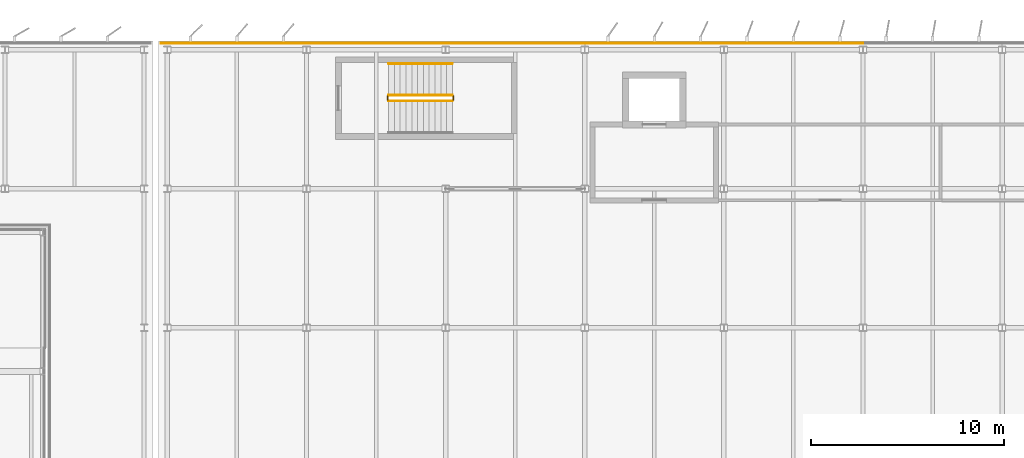
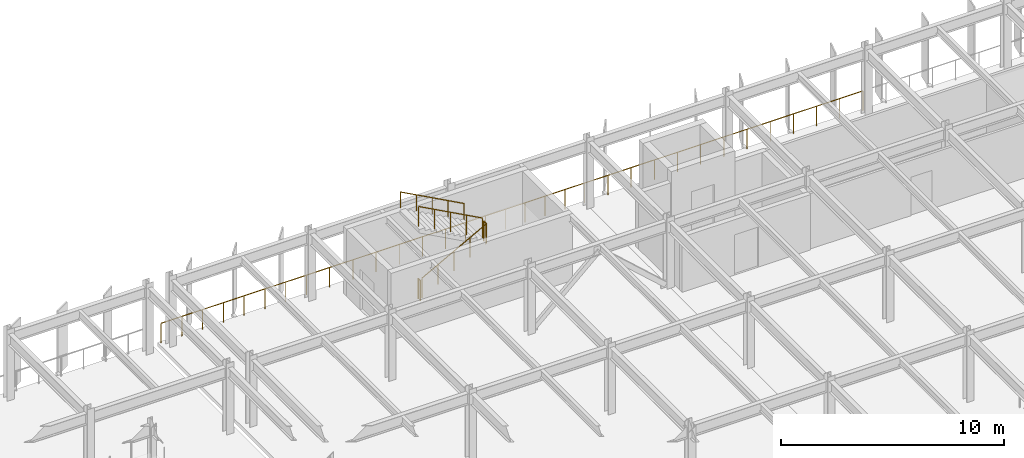
# One storey, part 45 of 52: 10 railings.
"""IFC4 building model written with IfcOpenShell, lengths in metres."""

from ifc_helpers import new_model, si_unit, direction, frame, origin, origin_2d, place, context, subcontext, project, spatial, circle, extrude, material, layer, layer_set, type_object, element, save


model = new_model("IFC4")

# Units and contexts
model_context = context("Model", 3, precision=1e-05, world=origin(), true_north=direction((0.0, 1.0)))
body_context = subcontext(model_context, "Body", "Model", "MODEL_VIEW")
ifc_project = project(units=[si_unit("LENGTHUNIT", "METRE"), si_unit("AREAUNIT", "SQUARE_METRE"), si_unit("VOLUMEUNIT", "CUBIC_METRE"), si_unit("PLANEANGLEUNIT", "RADIAN"), si_unit("MASSUNIT", "GRAM", prefix="KILO")], contexts=[model_context])

# Site, building, storey
site_placement = place(None, origin())
site = spatial("IfcSite", under=ifc_project, at=site_placement, CompositionType="ELEMENT")
building_placement = place(site_placement, origin())
building = spatial("IfcBuilding", under=site, at=building_placement, Name="Vaelcorin Mobility Hub", CompositionType="ELEMENT")
storey_placement = place(building_placement, frame((0.0, 0.0, 13.199951171875)))
storey = spatial("IfcBuildingStorey", under=building, at=storey_placement, Name="L03", CompositionType="ELEMENT", Elevation=13.199951171875)

# Railings
ifc_material_1 = material(Name="Galvanised structural steel ASTM A36", Category="steel")
ifc_layer_1 = layer(ifc_material_1, 0.070068359375)
ifc_layer_set_1 = layer_set([ifc_layer_1], Name="Galvanised structural steel ASTM A36")
railing_type_1 = type_object("IfcRailingType", Name="RL-GUARD-1100", PredefinedType="BALUSTRADE", material=ifc_layer_set_1)
railing_1_placement = place(storey_placement, frame((35.669921875, 120.330078125, 0.0)))
element("IfcRailing", 1, at=railing_1_placement, inside=storey, type_object=railing_type_1, Name="L03 Perimeter Guard GR-V4-L03-N-01-01", PredefinedType="BALUSTRADE", context=body_context, shape_type="SweptSolid", body=[
    extrude(circle(Radius=0.02392578125, at=origin_2d()), frame((0.0, 0.0, 1.076171875), z_axis=(1.0, 0.0, 0.0), x_axis=(0.0, 1.0, 0.0)), (0.0, 0.0, 1.0), 7.530029296875),
    extrude(circle(Radius=0.02099609375, at=origin_2d()), origin(), (0.0, 0.0, 1.0), 1.052001953125),
    extrude(circle(Radius=0.02099609375, at=origin_2d()), frame((1.07568359375, 0.0, 0.0)), (0.0, 0.0, 1.0), 1.052001953125),
    extrude(circle(Radius=0.02099609375, at=origin_2d()), frame((2.1513671875, 0.0, 0.0)), (0.0, 0.0, 1.0), 1.052001953125),
    extrude(circle(Radius=0.02099609375, at=origin_2d()), frame((3.22705078125, 0.0, 0.0)), (0.0, 0.0, 1.0), 1.052001953125),
    extrude(circle(Radius=0.02099609375, at=origin_2d()), frame((4.302978515625, 0.0, 0.0)), (0.0, 0.0, 1.0), 1.052001953125),
    extrude(circle(Radius=0.02099609375, at=origin_2d()), frame((5.378662109375, 0.0, 0.0)), (0.0, 0.0, 1.0), 1.052001953125),
    extrude(circle(Radius=0.02099609375, at=origin_2d()), frame((6.454345703125, 0.0, 0.0)), (0.0, 0.0, 1.0), 1.052001953125),
    extrude(circle(Radius=0.02099609375, at=origin_2d()), frame((7.530029296875, 0.0, 0.0)), (0.0, 0.0, 1.0), 1.052001953125),
])
railing_2_placement = place(storey_placement, frame((43.199951171875, 120.330078125, 0.0)))
element("IfcRailing", 2, at=railing_2_placement, inside=storey, type_object=railing_type_1, Name="L03 Perimeter Guard GR-V4-L03-N-02-01", PredefinedType="BALUSTRADE", context=body_context, shape_type="SweptSolid", body=[
    extrude(circle(Radius=0.02392578125, at=origin_2d()), frame((0.0, 0.0, 1.076171875), z_axis=(1.0, 0.0, 0.0), x_axis=(0.0, 1.0, 0.0)), (0.0, 0.0, 1.0), 7.199951171875),
    extrude(circle(Radius=0.02099609375, at=origin_2d()), origin(), (0.0, 0.0, 1.0), 1.052001953125),
    extrude(circle(Radius=0.02099609375, at=origin_2d()), frame((1.199951171875, 0.0, 0.0)), (0.0, 0.0, 1.0), 1.052001953125),
    extrude(circle(Radius=0.02099609375, at=origin_2d()), frame((2.39990234375, 0.0, 0.0)), (0.0, 0.0, 1.0), 1.052001953125),
    extrude(circle(Radius=0.02099609375, at=origin_2d()), frame((3.60009765625, 0.0, 0.0)), (0.0, 0.0, 1.0), 1.052001953125),
    extrude(circle(Radius=0.02099609375, at=origin_2d()), frame((4.800048828125, 0.0, 0.0)), (0.0, 0.0, 1.0), 1.052001953125),
    extrude(circle(Radius=0.02099609375, at=origin_2d()), frame((6.0, 0.0, 0.0)), (0.0, 0.0, 1.0), 1.052001953125),
    extrude(circle(Radius=0.02099609375, at=origin_2d()), frame((7.199951171875, 0.0, 0.0)), (0.0, 0.0, 1.0), 1.052001953125),
])
railing_3_placement = place(storey_placement, frame((50.39990234375, 120.330078125, 0.0)))
element("IfcRailing", 3, at=railing_3_placement, inside=storey, type_object=railing_type_1, Name="L03 Perimeter Guard GR-V4-L03-N-03-01", PredefinedType="BALUSTRADE", context=body_context, shape_type="SweptSolid", body=[
    extrude(circle(Radius=0.02392578125, at=origin_2d()), frame((0.0, 0.0, 1.076171875), z_axis=(1.0, 0.0, 0.0), x_axis=(0.0, 1.0, 0.0)), (0.0, 0.0, 1.0), 7.2001953125),
    extrude(circle(Radius=0.02099609375, at=origin_2d()), origin(), (0.0, 0.0, 1.0), 1.052001953125),
    extrude(circle(Radius=0.02099609375, at=origin_2d()), frame((1.028564453125, 0.0, 0.0)), (0.0, 0.0, 1.0), 1.052001953125),
    extrude(circle(Radius=0.02099609375, at=origin_2d()), frame((2.05712890625, 0.0, 0.0)), (0.0, 0.0, 1.0), 1.052001953125),
    extrude(circle(Radius=0.02099609375, at=origin_2d()), frame((3.085693359375, 0.0, 0.0)), (0.0, 0.0, 1.0), 1.052001953125),
    extrude(circle(Radius=0.02099609375, at=origin_2d()), frame((4.114501953125, 0.0, 0.0)), (0.0, 0.0, 1.0), 1.052001953125),
    extrude(circle(Radius=0.02099609375, at=origin_2d()), frame((5.14306640625, 0.0, 0.0)), (0.0, 0.0, 1.0), 1.052001953125),
    extrude(circle(Radius=0.02099609375, at=origin_2d()), frame((6.171630859375, 0.0, 0.0)), (0.0, 0.0, 1.0), 1.052001953125),
    extrude(circle(Radius=0.02099609375, at=origin_2d()), frame((7.2001953125, 0.0, 0.0)), (0.0, 0.0, 1.0), 1.052001953125),
])
for number, where, name in (
    (4, (57.60009765625, 120.330078125, 0.0), "L03 Perimeter Guard GR-V4-L03-N-04-01"),
    (5, (64.800048828125, 120.330078125, 0.0), "L03 Perimeter Guard GR-V4-L03-N-05-01"),
):
    element("IfcRailing", number, at=place(storey_placement, frame(where)), inside=storey, type_object=railing_type_1, Name=name, PredefinedType="BALUSTRADE", context=body_context, shape_type="SweptSolid", body=[
        extrude(circle(Radius=0.02392578125, at=origin_2d()), frame((0.0, 0.0, 1.076171875), z_axis=(1.0, 0.0, 0.0), x_axis=(0.0, 1.0, 0.0)), (0.0, 0.0, 1.0), 7.199951171875),
        extrude(circle(Radius=0.02099609375, at=origin_2d()), origin(), (0.0, 0.0, 1.0), 1.052001953125),
        extrude(circle(Radius=0.02099609375, at=origin_2d()), frame((1.199951171875, 0.0, 0.0)), (0.0, 0.0, 1.0), 1.052001953125),
        extrude(circle(Radius=0.02099609375, at=origin_2d()), frame((2.39990234375, 0.0, 0.0)), (0.0, 0.0, 1.0), 1.052001953125),
        extrude(circle(Radius=0.02099609375, at=origin_2d()), frame((3.60009765625, 0.0, 0.0)), (0.0, 0.0, 1.0), 1.052001953125),
        extrude(circle(Radius=0.02099609375, at=origin_2d()), frame((4.800048828125, 0.0, 0.0)), (0.0, 0.0, 1.0), 1.052001953125),
        extrude(circle(Radius=0.02099609375, at=origin_2d()), frame((6.0, 0.0, 0.0)), (0.0, 0.0, 1.0), 1.052001953125),
        extrude(circle(Radius=0.02099609375, at=origin_2d()), frame((7.199951171875, 0.0, 0.0)), (0.0, 0.0, 1.0), 1.052001953125),
    ])
ifc_material_2 = material(Name="Brushed stainless steel 316L", Category="steel")
ifc_layer_2 = layer(ifc_material_2, 0.048095703125)
ifc_layer_set_2 = layer_set([ifc_layer_2], Name="Brushed stainless steel 316L")
railing_type_2 = type_object("IfcRailingType", Name="RL-STAIR-GRD", PredefinedType="GUARDRAIL", material=ifc_layer_set_2)
railing_4_placement = place(storey_placement, frame((47.449951171875, 117.340087890625, 0.16259765625)))
element("IfcRailing", 6, at=railing_4_placement, inside=storey, type_object=railing_type_2, Name="L03 ST3 stair guard 1", PredefinedType="GUARDRAIL", context=body_context, shape_type="SweptSolid", body=[
    extrude(circle(Radius=0.02392578125, at=origin_2d()), frame((0.0, 0.0, 1.076171875), z_axis=(0.879311263194, 0.0, 0.47624752222), x_axis=(0.0, 1.0, 0.0)), (0.0, 0.0, 1.0), 3.7529296875),
    extrude(circle(Radius=0.02099609375, at=origin_2d()), origin(), (0.0, 0.0, 1.0), 1.052001953125),
    extrude(circle(Radius=0.02099609375, at=origin_2d()), frame((0.824951171875, 0.0, 0.44677734375)), (0.0, 0.0, 1.0), 1.052001953125),
    extrude(circle(Radius=0.02099609375, at=origin_2d()), frame((1.64990234375, 0.0, 0.8935546875)), (0.0, 0.0, 1.0), 1.052001953125),
    extrude(circle(Radius=0.02099609375, at=origin_2d()), frame((2.47509765625, 0.0, 1.340576171875)), (0.0, 0.0, 1.0), 1.052001953125),
    extrude(circle(Radius=0.02099609375, at=origin_2d()), frame((3.300048828125, 0.0, 1.787353515625)), (0.0, 0.0, 1.0), 1.052001953125),
])
railing_5_placement = place(storey_placement, frame((50.800048828125, 117.389892578125, 1.949951171875)))
element("IfcRailing", 7, at=railing_5_placement, inside=storey, type_object=railing_type_2, Name="L03 ST3 stair guard 2", PredefinedType="GUARDRAIL", context=body_context, shape_type="SweptSolid", body=[
    extrude(circle(Radius=0.02392578125, at=origin_2d()), frame((0.0, 0.0, 1.076171875), z_axis=(0.0, 1.0, 0.0), x_axis=(-1.0, 0.0, 0.0)), (0.0, 0.0, 1.0), 0.2001953125),
    extrude(circle(Radius=0.02099609375, at=origin_2d()), origin(), (0.0, 0.0, 1.0), 1.052001953125),
    extrude(circle(Radius=0.02099609375, at=origin_2d()), frame((0.0, 0.2001953125, 0.0)), (0.0, 0.0, 1.0), 1.052001953125),
])
railing_6_placement = place(storey_placement, frame((50.75, 117.639892578125, 2.112548828125)))
element("IfcRailing", 8, at=railing_6_placement, inside=storey, type_object=railing_type_2, Name="L03 ST3 stair guard 3", PredefinedType="GUARDRAIL", context=body_context, shape_type="SweptSolid", body=[
    extrude(circle(Radius=0.02392578125, at=origin_2d()), frame((0.0, 0.0, 1.076171875), z_axis=(-0.879284020681, 0.0, 0.476297817521), x_axis=(0.0, -1.0, 0.0)), (0.0, 0.0, 1.0), 3.753173828125),
    extrude(circle(Radius=0.02099609375, at=origin_2d()), origin(), (0.0, 0.0, 1.0), 1.052001953125),
    extrude(circle(Radius=0.02099609375, at=origin_2d()), frame((-0.824951171875, 0.0, 0.44677734375)), (0.0, 0.0, 1.0), 1.052001953125),
    extrude(circle(Radius=0.02099609375, at=origin_2d()), frame((-1.64990234375, 0.0, 0.893798828125)), (0.0, 0.0, 1.0), 1.052001953125),
    extrude(circle(Radius=0.02099609375, at=origin_2d()), frame((-2.47509765625, 0.0, 1.3408203125)), (0.0, 0.0, 1.0), 1.052001953125),
    extrude(circle(Radius=0.02099609375, at=origin_2d()), frame((-3.300048828125, 0.0, 1.78759765625)), (0.0, 0.0, 1.0), 1.052001953125),
])
railing_7_placement = place(storey_placement, frame((47.39990234375, 117.389892578125, 0.0)))
element("IfcRailing", 9, at=railing_7_placement, inside=storey, type_object=railing_type_2, Name="L03 ST3 stair guard 4", PredefinedType="GUARDRAIL", context=body_context, shape_type="SweptSolid", body=[
    extrude(circle(Radius=0.02392578125, at=origin_2d()), frame((0.0, 0.0, 1.076171875), z_axis=(0.0, 1.0, 0.0), x_axis=(-1.0, 0.0, 0.0)), (0.0, 0.0, 1.0), 0.2001953125),
    extrude(circle(Radius=0.02099609375, at=origin_2d()), origin(), (0.0, 0.0, 1.0), 1.052001953125),
    extrude(circle(Radius=0.02099609375, at=origin_2d()), frame((0.0, 0.2001953125, 0.0)), (0.0, 0.0, 1.0), 1.052001953125),
])
ifc_layer_3 = layer(ifc_material_2, 0.048095703125)
ifc_layer_set_3 = layer_set([ifc_layer_3], Name="Brushed stainless steel 316L")
railing_type_3 = type_object("IfcRailingType", Name="RL-STAIR-HR", PredefinedType="HANDRAIL", material=ifc_layer_set_3)
railing_8_placement = place(storey_placement, frame((50.75, 119.280029296875, 2.112548828125)))
element("IfcRailing", 10, at=railing_8_placement, inside=storey, type_object=railing_type_3, Name="L03 ST3 stair handrail 2", PredefinedType="HANDRAIL", context=body_context, shape_type="SweptSolid", body=[
    extrude(circle(Radius=0.02392578125, at=origin_2d()), frame((0.0, 0.0, 0.8759765625), z_axis=(-0.879284020681, 0.0, 0.476297817521), x_axis=(0.0, -1.0, 0.0)), (0.0, 0.0, 1.0), 3.753173828125),
    extrude(circle(Radius=0.02099609375, at=origin_2d()), origin(), (0.0, 0.0, 1.0), 0.851806640625),
    extrude(circle(Radius=0.02099609375, at=origin_2d()), frame((-0.824951171875, 0.0, 0.44677734375)), (0.0, 0.0, 1.0), 0.851806640625),
    extrude(circle(Radius=0.02099609375, at=origin_2d()), frame((-1.64990234375, 0.0, 0.893798828125)), (0.0, 0.0, 1.0), 0.851806640625),
    extrude(circle(Radius=0.02099609375, at=origin_2d()), frame((-2.47509765625, 0.0, 1.3408203125)), (0.0, 0.0, 1.0), 0.851806640625),
    extrude(circle(Radius=0.02099609375, at=origin_2d()), frame((-3.300048828125, 0.0, 1.78759765625)), (0.0, 0.0, 1.0), 0.851806640625),
])

save(model, "model.ifc")
